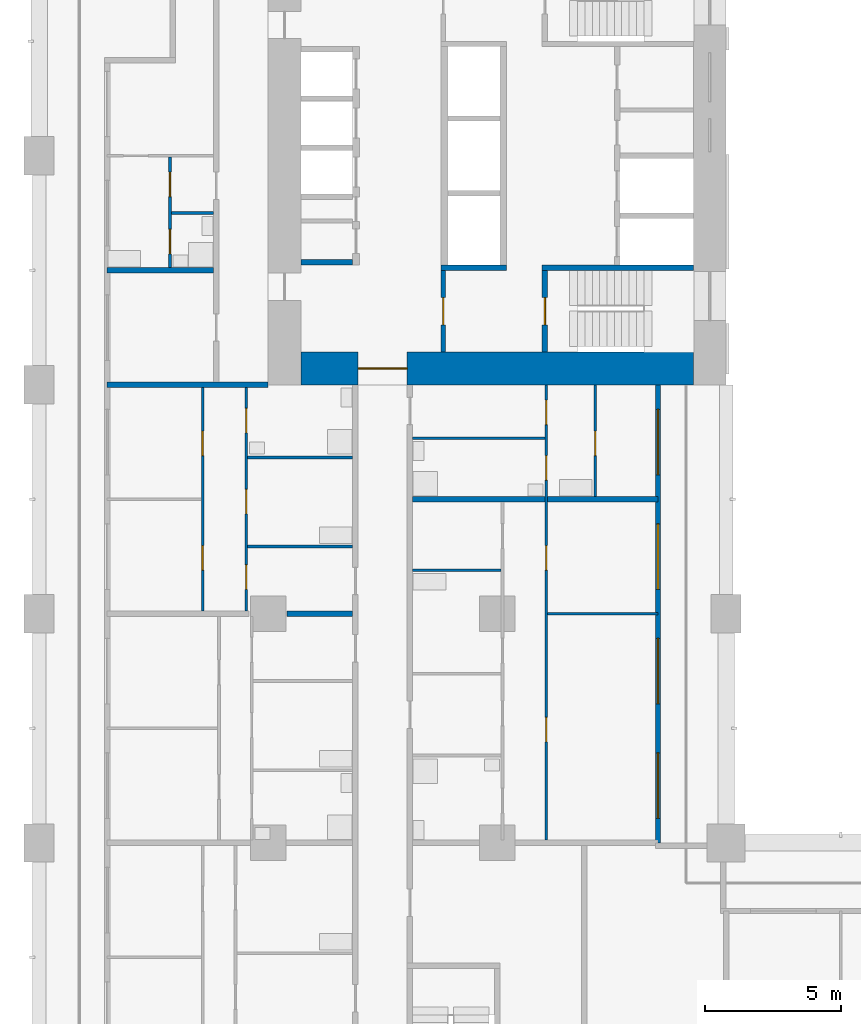
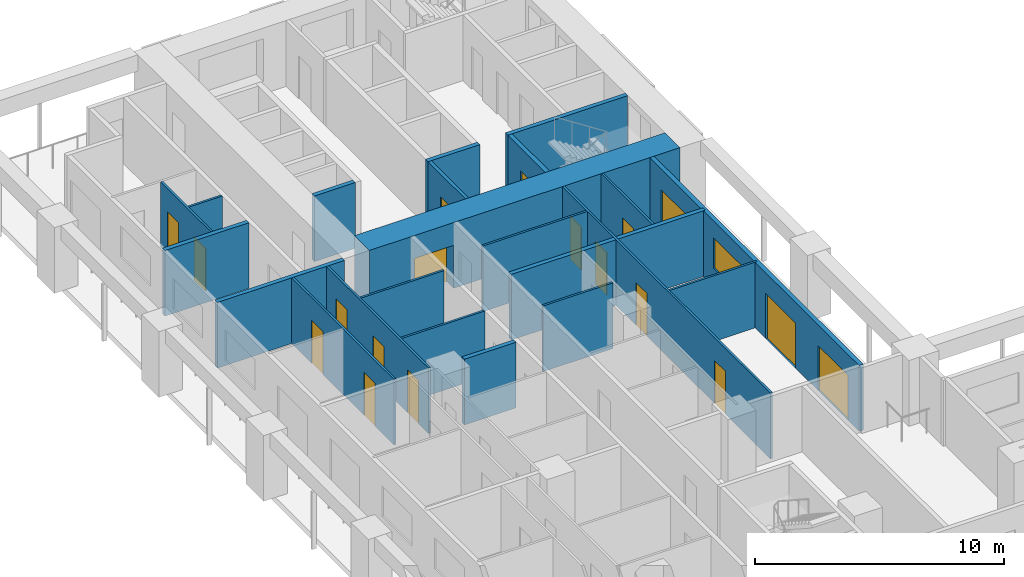
# One storey, part 8 of 19: 22 walls, 18 doors, 1 window, 19 openings.
"""IFC4 building model written with IfcOpenShell, lengths in metres."""

from ifc_helpers import new_model, si_unit, direction, frame, frame_2d, origin, place, context, subcontext, project, spatial, rectangle, extrude, material, layer, layer_set, type_object, element, fill, save


model = new_model("IFC4")

# Units and contexts
model_context = context("Model", 3, precision=1e-05, world=origin(), true_north=direction((0.0, 1.0)))
body_context = subcontext(model_context, "Body", "Model", "MODEL_VIEW")
ifc_project = project(units=[si_unit("LENGTHUNIT", "METRE"), si_unit("AREAUNIT", "SQUARE_METRE"), si_unit("VOLUMEUNIT", "CUBIC_METRE"), si_unit("PLANEANGLEUNIT", "RADIAN"), si_unit("MASSUNIT", "GRAM", prefix="KILO")], contexts=[model_context])

# Site, building, storey
site_placement = place(None, origin())
site = spatial("IfcSite", under=ifc_project, at=site_placement, CompositionType="ELEMENT")
building_placement = place(site_placement, origin())
building = spatial("IfcBuilding", under=site, at=building_placement, Name="Vermilion Gate Residences", CompositionType="ELEMENT")
storey_placement = place(building_placement, frame((0.0, 0.0, 53.199951171875)))
storey = spatial("IfcBuildingStorey", under=building, at=storey_placement, Name="L12", CompositionType="ELEMENT", Elevation=53.199951171875)

# Wall, opening, door
ifc_material_1 = material(Name="Masonry blockwork", Category="masonry")
ifc_layer_1 = layer(ifc_material_1, 0.14990234375)
ifc_layer_set_1 = layer_set([ifc_layer_1], Name="BLOCKWORK PARTITION 150 EI 120")
wall_type_1 = type_object("IfcWallType", Name="BLOCKWORK PARTITION 150 EI 120", PredefinedType="PARTITIONING", material=ifc_layer_set_1)
wall_1_placement = place(storey_placement, frame((14.824951171875, 46.199951171875, 0.0), z_axis=(0.0, 0.0, 1.0), x_axis=(0.0, -1.0, 0.0)))
wall_1 = element("IfcWall", 1, at=wall_1_placement, inside=storey, type_object=wall_type_1, Name="Core room partition B12-VE-S", PredefinedType="PARTITIONING", context=body_context, shape_type="SweptSolid", body=[
    extrude(rectangle(XDim=3.0, YDim=0.14990234375, at=frame_2d((1.5, 0.0))), origin(), (0.0, 0.0, 1.0), 3.219970703125),
])
opening_1_placement = place(wall_1_placement, frame((1.0, 0.0, 0.0)))
opening_1 = element("IfcOpeningElement", 2, at=opening_1_placement, cuts=wall_1, Name="Opening DK12115", PredefinedType="OPENING", context=body_context, shape_type="SweptSolid", body=[
    extrude(rectangle(XDim=1.0, YDim=2.10009765625, at=frame_2d((0.5, 1.050048828125))), frame((0.0, 0.0849609375, 0.0), z_axis=(0.0, -1.0, 0.0), x_axis=(1.0, 0.0, 0.0)), (0.0, 0.0, 1.0), 0.169921875),
])
ifc_material_2 = material(Name="Steel", Category="steel")
door_type_1 = type_object("IfcDoorType", Name="FIRE DOOR FD60 1000 X 2100", OperationType="SINGLE_SWING_LEFT", PredefinedType="DOOR", material=ifc_material_2)
door_1_placement = place(opening_1_placement, frame((1.0, 0.0, 0.0), z_axis=(0.0, 0.0, 1.0), x_axis=(-1.0, 0.0, 0.0)))
door_1 = element("IfcDoor", 3, at=door_1_placement, inside=storey, type_object=door_type_1, Name="Stair vestibule door B12", OperationType="SINGLE_SWING_LEFT", OverallHeight=2.10009765625, OverallWidth=1.0, PredefinedType="DOOR", context=body_context, shape_type="SweptSolid", body=[
    extrude(rectangle(XDim=1.0, YDim=2.10009765625, at=frame_2d((0.5, 1.050048828125))), frame((0.0, 0.02490234375, 0.0), z_axis=(0.0, -1.0, 0.0), x_axis=(1.0, 0.0, 0.0)), (0.0, 0.0, 1.0), 0.050048828125),
])
fill(opening_1, door_1)

# Wall, openings, doors, window
ifc_material_3 = material(Name="Insulated steel stud wall with terracotta rainscreen", Category="masonry")
ifc_layer_2 = layer(ifc_material_3, 0.199951171875)
ifc_layer_set_2 = layer_set([ifc_layer_2], Name="EXTERNAL WALL 200 TERRACOTTA RAINSCREEN")
wall_type_2 = type_object("IfcWallType", Name="EXTERNAL WALL 200 TERRACOTTA RAINSCREEN", PredefinedType="SOLIDWALL", material=ifc_layer_set_2)
wall_2_placement = place(storey_placement, frame((22.699951171875, 25.199951171875, 0.0), z_axis=(0.0, 0.0, 1.0), x_axis=(0.0, 1.0, 0.0)))
wall_2 = element("IfcWall", 4, at=wall_2_placement, inside=storey, type_object=wall_type_2, Name="External wall", PredefinedType="SOLIDWALL", context=body_context, shape_type="SweptSolid", body=[
    extrude(rectangle(XDim=16.800048828125, YDim=0.199951171875, at=frame_2d((8.39990234375, 0.0))), origin(), (0.0, 0.0, 1.0), 3.219970703125),
])
opening_2_placement = place(wall_2_placement, frame((0.89990234375, 0.0, 0.0)))
opening_2 = element("IfcOpeningElement", 5, at=opening_2_placement, cuts=wall_2, Name="Opening DE12037", PredefinedType="OPENING", context=body_context, shape_type="SweptSolid", body=[
    extrude(rectangle(XDim=2.39990234375, YDim=2.199951171875, at=frame_2d((1.199951171875, 1.10009765625))), frame((0.0, 0.10986328125, 0.0), z_axis=(0.0, -1.0, 0.0), x_axis=(1.0, 0.0, 0.0)), (0.0, 0.0, 1.0), 0.219970703125),
])
opening_3_placement = place(wall_2_placement, frame((5.10009765625, 0.0, 0.0)))
opening_3 = element("IfcOpeningElement", 6, at=opening_3_placement, cuts=wall_2, Name="Opening DE12038", PredefinedType="OPENING", context=body_context, shape_type="SweptSolid", body=[
    extrude(rectangle(XDim=2.39990234375, YDim=2.199951171875, at=frame_2d((1.199951171875, 1.10009765625))), frame((0.0, 0.10986328125, 0.0), z_axis=(0.0, -1.0, 0.0), x_axis=(1.0, 0.0, 0.0)), (0.0, 0.0, 1.0), 0.219970703125),
])
opening_4_placement = place(wall_2_placement, frame((9.300048828125, 0.0, 0.89990234375)))
opening_4 = element("IfcOpeningElement", 7, at=opening_4_placement, cuts=wall_2, Name="Opening WE12039", PredefinedType="OPENING", context=body_context, shape_type="SweptSolid", body=[
    extrude(rectangle(XDim=2.39990234375, YDim=1.5, at=frame_2d((1.199951171875, 0.75))), frame((0.0, 0.10986328125, 0.0), z_axis=(0.0, -1.0, 0.0), x_axis=(1.0, 0.0, 0.0)), (0.0, 0.0, 1.0), 0.219970703125),
])
opening_5_placement = place(wall_2_placement, frame((13.5, 0.0, 0.0)))
opening_5 = element("IfcOpeningElement", 8, at=opening_5_placement, cuts=wall_2, Name="Opening DE12040", PredefinedType="OPENING", context=body_context, shape_type="SweptSolid", body=[
    extrude(rectangle(XDim=2.39990234375, YDim=2.199951171875, at=frame_2d((1.199951171875, 1.10009765625))), frame((0.0, 0.10986328125, 0.0), z_axis=(0.0, -1.0, 0.0), x_axis=(1.0, 0.0, 0.0)), (0.0, 0.0, 1.0), 0.219970703125),
])
ifc_material_4 = material(Name="Aluminium and clear glass", Category="aluminium")
door_type_2 = type_object("IfcDoorType", Name="SLIDING GLAZED DOOR 2400 X 2200", OperationType="DOUBLE_DOOR_SLIDING", PredefinedType="DOOR", material=ifc_material_4)
door_2_placement = place(opening_2_placement, origin())
door_2 = element("IfcDoor", 9, at=door_2_placement, inside=storey, type_object=door_type_2, Name="Loggia sliding door", OperationType="DOUBLE_DOOR_SLIDING", OverallHeight=2.199951171875, OverallWidth=2.39990234375, PredefinedType="DOOR", context=body_context, shape_type="SweptSolid", body=[
    extrude(rectangle(XDim=2.39990234375, YDim=2.199951171875, at=frame_2d((1.199951171875, 1.10009765625))), frame((0.0, 0.02490234375, 0.0), z_axis=(0.0, -1.0, 0.0), x_axis=(1.0, 0.0, 0.0)), (0.0, 0.0, 1.0), 0.050048828125),
])
fill(opening_2, door_2)
door_3_placement = place(opening_3_placement, origin())
door_3 = element("IfcDoor", 10, at=door_3_placement, inside=storey, type_object=door_type_2, Name="Loggia sliding door", OperationType="DOUBLE_DOOR_SLIDING", OverallHeight=2.199951171875, OverallWidth=2.39990234375, PredefinedType="DOOR", context=body_context, shape_type="SweptSolid", body=[
    extrude(rectangle(XDim=2.39990234375, YDim=2.199951171875, at=frame_2d((1.199951171875, 1.10009765625))), frame((0.0, 0.02490234375, 0.0), z_axis=(0.0, -1.0, 0.0), x_axis=(1.0, 0.0, 0.0)), (0.0, 0.0, 1.0), 0.050048828125),
])
fill(opening_3, door_3)
door_4_placement = place(opening_5_placement, origin())
door_4 = element("IfcDoor", 11, at=door_4_placement, inside=storey, type_object=door_type_2, Name="Loggia sliding door", OperationType="DOUBLE_DOOR_SLIDING", OverallHeight=2.199951171875, OverallWidth=2.39990234375, PredefinedType="DOOR", context=body_context, shape_type="SweptSolid", body=[
    extrude(rectangle(XDim=2.39990234375, YDim=2.199951171875, at=frame_2d((1.199951171875, 1.10009765625))), frame((0.0, 0.02490234375, 0.0), z_axis=(0.0, -1.0, 0.0), x_axis=(1.0, 0.0, 0.0)), (0.0, 0.0, 1.0), 0.050048828125),
])
fill(opening_5, door_4)
ifc_material_5 = material(Name="Aluminium and clear glass", Category="aluminium")
window_type = type_object("IfcWindowType", Name="WINDOW 2400 X 1500", PartitioningType="SINGLE_PANEL", PredefinedType="WINDOW", material=ifc_material_5)
window_placement = place(opening_4_placement, origin())
window = element("IfcWindow", 12, at=window_placement, inside=storey, type_object=window_type, Name="Window", OverallHeight=1.5, OverallWidth=2.39990234375, PartitioningType="SINGLE_PANEL", PredefinedType="WINDOW", context=body_context, shape_type="SweptSolid", body=[
    extrude(rectangle(XDim=2.39990234375, YDim=1.5, at=frame_2d((1.199951171875, 0.75))), frame((0.0, 0.030029296875, 0.0), z_axis=(0.0, -1.0, 0.0), x_axis=(1.0, 0.0, 0.0)), (0.0, 0.0, 1.0), 0.06005859375),
])
fill(opening_4, window)

# Walls
ifc_material_6 = material(Name="Plasterboard on steel studs", Category="steel")
ifc_layer_3 = layer(ifc_material_6, 0.10009765625)
ifc_layer_set_3 = layer_set([ifc_layer_3], Name="PARTITION 100")
wall_type_3 = type_object("IfcWallType", Name="PARTITION 100", PredefinedType="PARTITIONING", material=ifc_layer_set_3)
wall_3_placement = place(storey_placement, frame((18.64990234375, 33.60009765625, 0.0), z_axis=(0.0, 0.0, 1.0), x_axis=(1.0, 0.0, 0.0)))
element("IfcWall", 13, at=wall_3_placement, inside=storey, type_object=wall_type_3, Name="Partition", PredefinedType="PARTITIONING", context=body_context, shape_type="SweptSolid", body=[
    extrude(rectangle(XDim=4.050048828125, YDim=0.10009765625, at=frame_2d((2.02490234375, 0.0))), origin(), (0.0, 0.0, 1.0), 3.219970703125),
])
wall_4_placement = place(storey_placement, frame((13.699951171875, 35.199951171875, 0.0), z_axis=(0.0, 0.0, 1.0), x_axis=(1.0, 0.0, 0.0)))
element("IfcWall", 14, at=wall_4_placement, inside=storey, type_object=wall_type_3, Name="Partition", PredefinedType="PARTITIONING", context=body_context, shape_type="SweptSolid", body=[
    extrude(rectangle(XDim=3.25, YDim=0.10009765625, at=frame_2d((1.625, 0.0))), origin(), (0.0, 0.0, 1.0), 3.219970703125),
])
for number, where, z_axis, x_axis, name in (
    (15, (7.64990234375, 36.06689453125, 0.0), (0.0, 0.0, 1.0), (1.0, 0.0, 0.0), "Partition"),
    (16, (7.64990234375, 39.3330078125, 0.0), (0.0, 0.0, 1.0), (1.0, 0.0, 0.0), "Partition"),
):
    element("IfcWall", number, at=place(storey_placement, frame(where, z_axis=z_axis, x_axis=x_axis)), inside=storey, type_object=wall_type_3, Name=name, PredefinedType="PARTITIONING", context=body_context, shape_type="SweptSolid", body=[
        extrude(rectangle(XDim=3.85009765625, YDim=0.10009765625, at=frame_2d((1.925048828125, 0.0))), origin(), (0.0, 0.0, 1.0), 3.219970703125),
    ])
wall_5_placement = place(storey_placement, frame((13.699951171875, 40.0400390625, 0.0), z_axis=(0.0, 0.0, 1.0), x_axis=(1.0, 0.0, 0.0)))
element("IfcWall", 17, at=wall_5_placement, inside=storey, type_object=wall_type_3, Name="Partition", PredefinedType="PARTITIONING", context=body_context, shape_type="SweptSolid", body=[
    extrude(rectangle(XDim=4.85009765625, YDim=0.10009765625, at=frame_2d((2.425048828125, 0.0))), origin(), (0.0, 0.0, 1.0), 3.219970703125),
])
wall_6_placement = place(storey_placement, frame((4.85009765625, 48.300048828125, 0.0), z_axis=(0.0, 0.0, 1.0), x_axis=(1.0, 0.0, 0.0)))
element("IfcWall", 18, at=wall_6_placement, inside=storey, type_object=wall_type_3, Name="Partition", PredefinedType="PARTITIONING", context=body_context, shape_type="SweptSolid", body=[
    extrude(rectangle(XDim=1.5498046875, YDim=0.10009765625, at=frame_2d((0.77490234375, 0.0))), origin(), (0.0, 0.0, 1.0), 3.219970703125),
])

# Wall, openings, doors
wall_7_placement = place(storey_placement, frame((4.800048828125, 46.300048828125, 0.0), z_axis=(0.0, 0.0, 1.0), x_axis=(0.0, 1.0, 0.0)))
wall_7 = element("IfcWall", 19, at=wall_7_placement, inside=storey, type_object=wall_type_3, Name="Partition", PredefinedType="PARTITIONING", context=body_context, shape_type="SweptSolid", body=[
    extrude(rectangle(XDim=4.050048828125, YDim=0.10009765625, at=frame_2d((2.02490234375, 0.0))), origin(), (0.0, 0.0, 1.0), 3.219970703125),
])
opening_6_placement = place(wall_7_placement, frame((2.60009765625, 0.0, 0.0)))
opening_6 = element("IfcOpeningElement", 20, at=opening_6_placement, cuts=wall_7, Name="Opening DA10043", PredefinedType="OPENING", context=body_context, shape_type="SweptSolid", body=[
    extrude(rectangle(XDim=0.89990234375, YDim=2.10009765625, at=frame_2d((0.449951171875, 1.050048828125))), frame((0.0, 0.06005859375, 0.0), z_axis=(0.0, -1.0, 0.0), x_axis=(1.0, 0.0, 0.0)), (0.0, 0.0, 1.0), 0.1201171875),
])
opening_7_placement = place(wall_7_placement, frame((0.5, 0.0, 0.0)))
opening_7 = element("IfcOpeningElement", 21, at=opening_7_placement, cuts=wall_7, Name="Opening DA10044", PredefinedType="OPENING", context=body_context, shape_type="SweptSolid", body=[
    extrude(rectangle(XDim=0.89990234375, YDim=2.10009765625, at=frame_2d((0.449951171875, 1.050048828125))), frame((0.0, 0.06005859375, 0.0), z_axis=(0.0, -1.0, 0.0), x_axis=(1.0, 0.0, 0.0)), (0.0, 0.0, 1.0), 0.1201171875),
])
ifc_material_7 = material(Name="Timber", Category="wood")
door_type_3 = type_object("IfcDoorType", Name="INTERIOR DOOR 900 X 2100", OperationType="SINGLE_SWING_LEFT", PredefinedType="DOOR", material=ifc_material_7)
door_5_placement = place(opening_6_placement, origin())
door_5 = element("IfcDoor", 22, at=door_5_placement, inside=storey, type_object=door_type_3, Name="Interior door", OperationType="SINGLE_SWING_RIGHT", OverallHeight=2.10009765625, OverallWidth=0.89990234375, PredefinedType="DOOR", context=body_context, shape_type="SweptSolid", body=[
    extrude(rectangle(XDim=0.89990234375, YDim=2.10009765625, at=frame_2d((0.449951171875, 1.050048828125))), frame((0.0, 0.02490234375, 0.0), z_axis=(0.0, -1.0, 0.0), x_axis=(1.0, 0.0, 0.0)), (0.0, 0.0, 1.0), 0.050048828125),
])
fill(opening_6, door_5)
door_6_placement = place(opening_7_placement, frame((0.89990234375, 0.0, 0.0), z_axis=(0.0, 0.0, 1.0), x_axis=(-1.0, 0.0, 0.0)))
door_6 = element("IfcDoor", 23, at=door_6_placement, inside=storey, type_object=door_type_3, Name="Interior door", OperationType="SINGLE_SWING_RIGHT", OverallHeight=2.10009765625, OverallWidth=0.89990234375, PredefinedType="DOOR", context=body_context, shape_type="SweptSolid", body=[
    extrude(rectangle(XDim=0.89990234375, YDim=2.10009765625, at=frame_2d((0.449951171875, 1.050048828125))), frame((0.0, 0.02490234375, 0.0), z_axis=(0.0, -1.0, 0.0), x_axis=(1.0, 0.0, 0.0)), (0.0, 0.0, 1.0), 0.050048828125),
])
fill(opening_7, door_6)

wall_8_placement = place(storey_placement, frame((6.0, 33.699951171875, 0.0), z_axis=(0.0, 0.0, 1.0), x_axis=(0.0, 1.0, 0.0)))
wall_8 = element("IfcWall", 24, at=wall_8_placement, inside=storey, type_object=wall_type_3, Name="Partition", PredefinedType="PARTITIONING", context=body_context, shape_type="SweptSolid", body=[
    extrude(rectangle(XDim=8.199951171875, YDim=0.10009765625, at=frame_2d((4.10009765625, 0.0))), origin(), (0.0, 0.0, 1.0), 3.219970703125),
])
opening_8_placement = place(wall_8_placement, frame((1.5, 0.0, 0.0)))
opening_8 = element("IfcOpeningElement", 25, at=opening_8_placement, cuts=wall_8, Name="Opening DA10047", PredefinedType="OPENING", context=body_context, shape_type="SweptSolid", body=[
    extrude(rectangle(XDim=0.89990234375, YDim=2.10009765625, at=frame_2d((0.449951171875, 1.050048828125))), frame((0.0, 0.06005859375, 0.0), z_axis=(0.0, -1.0, 0.0), x_axis=(1.0, 0.0, 0.0)), (0.0, 0.0, 1.0), 0.1201171875),
])
opening_9_placement = place(wall_8_placement, frame((5.699951171875, 0.0, 0.0)))
opening_9 = element("IfcOpeningElement", 26, at=opening_9_placement, cuts=wall_8, Name="Opening DA10048", PredefinedType="OPENING", context=body_context, shape_type="SweptSolid", body=[
    extrude(rectangle(XDim=0.89990234375, YDim=2.10009765625, at=frame_2d((0.449951171875, 1.050048828125))), frame((0.0, 0.06005859375, 0.0), z_axis=(0.0, -1.0, 0.0), x_axis=(1.0, 0.0, 0.0)), (0.0, 0.0, 1.0), 0.1201171875),
])
door_7_placement = place(opening_8_placement, origin())
door_7 = element("IfcDoor", 27, at=door_7_placement, inside=storey, type_object=door_type_3, Name="Interior door", OperationType="SINGLE_SWING_LEFT", OverallHeight=2.10009765625, OverallWidth=0.89990234375, PredefinedType="DOOR", context=body_context, shape_type="SweptSolid", body=[
    extrude(rectangle(XDim=0.89990234375, YDim=2.10009765625, at=frame_2d((0.449951171875, 1.050048828125))), frame((0.0, 0.02490234375, 0.0), z_axis=(0.0, -1.0, 0.0), x_axis=(1.0, 0.0, 0.0)), (0.0, 0.0, 1.0), 0.050048828125),
])
fill(opening_8, door_7)
door_8_placement = place(opening_9_placement, origin())
door_8 = element("IfcDoor", 28, at=door_8_placement, inside=storey, type_object=door_type_3, Name="Interior door", OperationType="SINGLE_SWING_LEFT", OverallHeight=2.10009765625, OverallWidth=0.89990234375, PredefinedType="DOOR", context=body_context, shape_type="SweptSolid", body=[
    extrude(rectangle(XDim=0.89990234375, YDim=2.10009765625, at=frame_2d((0.449951171875, 1.050048828125))), frame((0.0, 0.02490234375, 0.0), z_axis=(0.0, -1.0, 0.0), x_axis=(1.0, 0.0, 0.0)), (0.0, 0.0, 1.0), 0.050048828125),
])
fill(opening_9, door_8)

wall_9_placement = place(storey_placement, frame((7.60009765625, 33.699951171875, 0.0), z_axis=(0.0, 0.0, 1.0), x_axis=(0.0, 1.0, 0.0)))
wall_9 = element("IfcWall", 29, at=wall_9_placement, inside=storey, type_object=wall_type_3, Name="Partition", PredefinedType="PARTITIONING", context=body_context, shape_type="SweptSolid", body=[
    extrude(rectangle(XDim=8.199951171875, YDim=0.10009765625, at=frame_2d((4.10009765625, 0.0))), origin(), (0.0, 0.0, 1.0), 3.219970703125),
])
opening_10_placement = place(wall_9_placement, frame((0.800048828125, 0.0, 0.0)))
opening_10 = element("IfcOpeningElement", 30, at=opening_10_placement, cuts=wall_9, Name="Opening DA10057", PredefinedType="OPENING", context=body_context, shape_type="SweptSolid", body=[
    extrude(rectangle(XDim=0.89990234375, YDim=2.10009765625, at=frame_2d((0.449951171875, 1.050048828125))), frame((0.0, 0.06005859375, 0.0), z_axis=(0.0, -1.0, 0.0), x_axis=(1.0, 0.0, 0.0)), (0.0, 0.0, 1.0), 0.1201171875),
])
opening_11_placement = place(wall_9_placement, frame((3.56689453125, 0.0, 0.0)))
opening_11 = element("IfcOpeningElement", 31, at=opening_11_placement, cuts=wall_9, Name="Opening DA10058", PredefinedType="OPENING", context=body_context, shape_type="SweptSolid", body=[
    extrude(rectangle(XDim=0.89990234375, YDim=2.10009765625, at=frame_2d((0.449951171875, 1.050048828125))), frame((0.0, 0.06005859375, 0.0), z_axis=(0.0, -1.0, 0.0), x_axis=(1.0, 0.0, 0.0)), (0.0, 0.0, 1.0), 0.1201171875),
])
opening_12_placement = place(wall_9_placement, frame((6.532958984375, 0.0, 0.0)))
opening_12 = element("IfcOpeningElement", 32, at=opening_12_placement, cuts=wall_9, Name="Opening DA10059", PredefinedType="OPENING", context=body_context, shape_type="SweptSolid", body=[
    extrude(rectangle(XDim=0.89990234375, YDim=2.10009765625, at=frame_2d((0.449951171875, 1.050048828125))), frame((0.0, 0.06005859375, 0.0), z_axis=(0.0, -1.0, 0.0), x_axis=(1.0, 0.0, 0.0)), (0.0, 0.0, 1.0), 0.1201171875),
])
door_9_placement = place(opening_10_placement, frame((0.89990234375, 0.0, 0.0), z_axis=(0.0, 0.0, 1.0), x_axis=(-1.0, 0.0, 0.0)))
door_9 = element("IfcDoor", 33, at=door_9_placement, inside=storey, type_object=door_type_3, Name="Interior door", OperationType="SINGLE_SWING_RIGHT", OverallHeight=2.10009765625, OverallWidth=0.89990234375, PredefinedType="DOOR", context=body_context, shape_type="SweptSolid", body=[
    extrude(rectangle(XDim=0.89990234375, YDim=2.10009765625, at=frame_2d((0.449951171875, 1.050048828125))), frame((0.0, 0.02490234375, 0.0), z_axis=(0.0, -1.0, 0.0), x_axis=(1.0, 0.0, 0.0)), (0.0, 0.0, 1.0), 0.050048828125),
])
fill(opening_10, door_9)
door_10_placement = place(opening_11_placement, frame((0.89990234375, 0.0, 0.0), z_axis=(0.0, 0.0, 1.0), x_axis=(-1.0, 0.0, 0.0)))
door_10 = element("IfcDoor", 34, at=door_10_placement, inside=storey, type_object=door_type_3, Name="Interior door", OperationType="SINGLE_SWING_LEFT", OverallHeight=2.10009765625, OverallWidth=0.89990234375, PredefinedType="DOOR", context=body_context, shape_type="SweptSolid", body=[
    extrude(rectangle(XDim=0.89990234375, YDim=2.10009765625, at=frame_2d((0.449951171875, 1.050048828125))), frame((0.0, 0.02490234375, 0.0), z_axis=(0.0, -1.0, 0.0), x_axis=(1.0, 0.0, 0.0)), (0.0, 0.0, 1.0), 0.050048828125),
])
fill(opening_11, door_10)
door_11_placement = place(opening_12_placement, frame((0.89990234375, 0.0, 0.0), z_axis=(0.0, 0.0, 1.0), x_axis=(-1.0, 0.0, 0.0)))
door_11 = element("IfcDoor", 35, at=door_11_placement, inside=storey, type_object=door_type_3, Name="Interior door", OperationType="SINGLE_SWING_RIGHT", OverallHeight=2.10009765625, OverallWidth=0.89990234375, PredefinedType="DOOR", context=body_context, shape_type="SweptSolid", body=[
    extrude(rectangle(XDim=0.89990234375, YDim=2.10009765625, at=frame_2d((0.449951171875, 1.050048828125))), frame((0.0, 0.02490234375, 0.0), z_axis=(0.0, -1.0, 0.0), x_axis=(1.0, 0.0, 0.0)), (0.0, 0.0, 1.0), 0.050048828125),
])
fill(opening_12, door_11)

wall_10_placement = place(storey_placement, frame((18.60009765625, 25.300048828125, 0.0), z_axis=(0.0, 0.0, 1.0), x_axis=(0.0, 1.0, 0.0)))
wall_10 = element("IfcWall", 36, at=wall_10_placement, inside=storey, type_object=wall_type_3, Name="Partition", PredefinedType="PARTITIONING", context=body_context, shape_type="SweptSolid", body=[
    extrude(rectangle(XDim=16.699951171875, YDim=0.10009765625, at=frame_2d((8.35009765625, 0.0))), origin(), (0.0, 0.0, 1.0), 3.219970703125),
])
opening_13_placement = place(wall_10_placement, frame((3.60009765625, 0.0, 0.0)))
opening_13 = element("IfcOpeningElement", 37, at=opening_13_placement, cuts=wall_10, Name="Opening DA10075", PredefinedType="OPENING", context=body_context, shape_type="SweptSolid", body=[
    extrude(rectangle(XDim=0.89990234375, YDim=2.10009765625, at=frame_2d((0.449951171875, 1.050048828125))), frame((0.0, 0.06005859375, 0.0), z_axis=(0.0, -1.0, 0.0), x_axis=(1.0, 0.0, 0.0)), (0.0, 0.0, 1.0), 0.1201171875),
])
opening_14_placement = place(wall_10_placement, frame((9.89990234375, 0.0, 0.0)))
opening_14 = element("IfcOpeningElement", 38, at=opening_14_placement, cuts=wall_10, Name="Opening DA10076", PredefinedType="OPENING", context=body_context, shape_type="SweptSolid", body=[
    extrude(rectangle(XDim=0.89990234375, YDim=2.10009765625, at=frame_2d((0.449951171875, 1.050048828125))), frame((0.0, 0.06005859375, 0.0), z_axis=(0.0, -1.0, 0.0), x_axis=(1.0, 0.0, 0.0)), (0.0, 0.0, 1.0), 0.1201171875),
])
opening_15_placement = place(wall_10_placement, frame((15.239990234375, 0.0, 0.0)))
opening_15 = element("IfcOpeningElement", 39, at=opening_15_placement, cuts=wall_10, Name="Opening DA10077", PredefinedType="OPENING", context=body_context, shape_type="SweptSolid", body=[
    extrude(rectangle(XDim=0.89990234375, YDim=2.10009765625, at=frame_2d((0.449951171875, 1.050048828125))), frame((0.0, 0.06005859375, 0.0), z_axis=(0.0, -1.0, 0.0), x_axis=(1.0, 0.0, 0.0)), (0.0, 0.0, 1.0), 0.1201171875),
])
opening_16_placement = place(wall_10_placement, frame((13.199951171875, 0.0, 0.0)))
opening_16 = element("IfcOpeningElement", 40, at=opening_16_placement, cuts=wall_10, Name="Opening DA10078", PredefinedType="OPENING", context=body_context, shape_type="SweptSolid", body=[
    extrude(rectangle(XDim=0.89990234375, YDim=2.10009765625, at=frame_2d((0.449951171875, 1.050048828125))), frame((0.0, 0.06005859375, 0.0), z_axis=(0.0, -1.0, 0.0), x_axis=(1.0, 0.0, 0.0)), (0.0, 0.0, 1.0), 0.1201171875),
])
door_12_placement = place(opening_13_placement, frame((0.89990234375, 0.0, 0.0), z_axis=(0.0, 0.0, 1.0), x_axis=(-1.0, 0.0, 0.0)))
door_12 = element("IfcDoor", 41, at=door_12_placement, inside=storey, type_object=door_type_3, Name="Interior door", OperationType="SINGLE_SWING_RIGHT", OverallHeight=2.10009765625, OverallWidth=0.89990234375, PredefinedType="DOOR", context=body_context, shape_type="SweptSolid", body=[
    extrude(rectangle(XDim=0.89990234375, YDim=2.10009765625, at=frame_2d((0.449951171875, 1.050048828125))), frame((0.0, 0.02490234375, 0.0), z_axis=(0.0, -1.0, 0.0), x_axis=(1.0, 0.0, 0.0)), (0.0, 0.0, 1.0), 0.050048828125),
])
fill(opening_13, door_12)
door_13_placement = place(opening_14_placement, frame((0.89990234375, 0.0, 0.0), z_axis=(0.0, 0.0, 1.0), x_axis=(-1.0, 0.0, 0.0)))
door_13 = element("IfcDoor", 42, at=door_13_placement, inside=storey, type_object=door_type_3, Name="Interior door", OperationType="SINGLE_SWING_RIGHT", OverallHeight=2.10009765625, OverallWidth=0.89990234375, PredefinedType="DOOR", context=body_context, shape_type="SweptSolid", body=[
    extrude(rectangle(XDim=0.89990234375, YDim=2.10009765625, at=frame_2d((0.449951171875, 1.050048828125))), frame((0.0, 0.02490234375, 0.0), z_axis=(0.0, -1.0, 0.0), x_axis=(1.0, 0.0, 0.0)), (0.0, 0.0, 1.0), 0.050048828125),
])
fill(opening_14, door_13)
door_14_placement = place(opening_15_placement, frame((0.89990234375, 0.0, 0.0), z_axis=(0.0, 0.0, 1.0), x_axis=(-1.0, 0.0, 0.0)))
door_14 = element("IfcDoor", 43, at=door_14_placement, inside=storey, type_object=door_type_3, Name="Interior door", OperationType="SINGLE_SWING_LEFT", OverallHeight=2.10009765625, OverallWidth=0.89990234375, PredefinedType="DOOR", context=body_context, shape_type="SweptSolid", body=[
    extrude(rectangle(XDim=0.89990234375, YDim=2.10009765625, at=frame_2d((0.449951171875, 1.050048828125))), frame((0.0, 0.02490234375, 0.0), z_axis=(0.0, -1.0, 0.0), x_axis=(1.0, 0.0, 0.0)), (0.0, 0.0, 1.0), 0.050048828125),
])
fill(opening_15, door_14)
door_15_placement = place(opening_16_placement, frame((0.89990234375, 0.0, 0.0), z_axis=(0.0, 0.0, 1.0), x_axis=(-1.0, 0.0, 0.0)))
door_15 = element("IfcDoor", 44, at=door_15_placement, inside=storey, type_object=door_type_3, Name="Interior door", OperationType="SINGLE_SWING_RIGHT", OverallHeight=2.10009765625, OverallWidth=0.89990234375, PredefinedType="DOOR", context=body_context, shape_type="SweptSolid", body=[
    extrude(rectangle(XDim=0.89990234375, YDim=2.10009765625, at=frame_2d((0.449951171875, 1.050048828125))), frame((0.0, 0.02490234375, 0.0), z_axis=(0.0, -1.0, 0.0), x_axis=(1.0, 0.0, 0.0)), (0.0, 0.0, 1.0), 0.050048828125),
])
fill(opening_16, door_15)

# Wall, opening, door
wall_11_placement = place(storey_placement, frame((20.39990234375, 37.89990234375, 0.0), z_axis=(0.0, 0.0, 1.0), x_axis=(0.0, 1.0, 0.0)))
wall_11 = element("IfcWall", 45, at=wall_11_placement, inside=storey, type_object=wall_type_3, Name="Partition", PredefinedType="PARTITIONING", context=body_context, shape_type="SweptSolid", body=[
    extrude(rectangle(XDim=4.10009765625, YDim=0.10009765625, at=frame_2d((2.050048828125, 0.0))), origin(), (0.0, 0.0, 1.0), 3.219970703125),
])
opening_17_placement = place(wall_11_placement, frame((1.5, 0.0, 0.0)))
opening_17 = element("IfcOpeningElement", 46, at=opening_17_placement, cuts=wall_11, Name="Opening DA10079", PredefinedType="OPENING", context=body_context, shape_type="SweptSolid", body=[
    extrude(rectangle(XDim=0.89990234375, YDim=2.10009765625, at=frame_2d((0.449951171875, 1.050048828125))), frame((0.0, 0.06005859375, 0.0), z_axis=(0.0, -1.0, 0.0), x_axis=(1.0, 0.0, 0.0)), (0.0, 0.0, 1.0), 0.1201171875),
])
door_16_placement = place(opening_17_placement, origin())
door_16 = element("IfcDoor", 47, at=door_16_placement, inside=storey, type_object=door_type_3, Name="Interior door", OperationType="SINGLE_SWING_LEFT", OverallHeight=2.10009765625, OverallWidth=0.89990234375, PredefinedType="DOOR", context=body_context, shape_type="SweptSolid", body=[
    extrude(rectangle(XDim=0.89990234375, YDim=2.10009765625, at=frame_2d((0.449951171875, 1.050048828125))), frame((0.0, 0.02490234375, 0.0), z_axis=(0.0, -1.0, 0.0), x_axis=(1.0, 0.0, 0.0)), (0.0, 0.0, 1.0), 0.050048828125),
])
fill(opening_17, door_16)

# Walls
ifc_material_8 = material(Name="Fire-rated plasterboard on steel studs", Category="steel")
ifc_layer_4 = layer(ifc_material_8, 0.199951171875)
ifc_layer_set_4 = layer_set([ifc_layer_4], Name="PARTY WALL 200 EI 120")
wall_type_4 = type_object("IfcWallType", Name="PARTY WALL 200 EI 120", PredefinedType="PARTITIONING", material=ifc_layer_set_4)
wall_12_placement = place(storey_placement, frame((9.10009765625, 33.60009765625, 0.0), z_axis=(0.0, 0.0, 1.0), x_axis=(1.0, 0.0, 0.0)))
element("IfcWall", 48, at=wall_12_placement, inside=storey, type_object=wall_type_4, Name="Party and corridor wall", PredefinedType="PARTITIONING", context=body_context, shape_type="SweptSolid", body=[
    extrude(rectangle(XDim=2.39990234375, YDim=0.199951171875, at=frame_2d((1.199951171875, 0.0))), origin(), (0.0, 0.0, 1.0), 3.219970703125),
])
wall_13_placement = place(storey_placement, frame((13.699951171875, 37.800048828125, 0.0), z_axis=(0.0, 0.0, 1.0), x_axis=(1.0, 0.0, 0.0)))
element("IfcWall", 49, at=wall_13_placement, inside=storey, type_object=wall_type_4, Name="Party and corridor wall", PredefinedType="PARTITIONING", context=body_context, shape_type="SweptSolid", body=[
    extrude(rectangle(XDim=9.0, YDim=0.199951171875, at=frame_2d((4.5, 0.0))), origin(), (0.0, 0.0, 1.0), 3.219970703125),
])
wall_14_placement = place(storey_placement, frame((2.5, 42.0, 0.0), z_axis=(0.0, 0.0, 1.0), x_axis=(1.0, 0.0, 0.0)))
element("IfcWall", 50, at=wall_14_placement, inside=storey, type_object=wall_type_4, Name="Party and corridor wall", PredefinedType="PARTITIONING", context=body_context, shape_type="SweptSolid", body=[
    extrude(rectangle(XDim=5.89990234375, YDim=0.199951171875, at=frame_2d((2.949951171875, 0.0))), origin(), (0.0, 0.0, 1.0), 3.219970703125),
])
wall_15_placement = place(storey_placement, frame((2.5, 46.199951171875, 0.0), z_axis=(0.0, 0.0, 1.0), x_axis=(1.0, 0.0, 0.0)))
element("IfcWall", 51, at=wall_15_placement, inside=storey, type_object=wall_type_4, Name="Party and corridor wall", PredefinedType="PARTITIONING", context=body_context, shape_type="SweptSolid", body=[
    extrude(rectangle(XDim=3.89990234375, YDim=0.199951171875, at=frame_2d((1.949951171875, 0.0))), origin(), (0.0, 0.0, 1.0), 3.219970703125),
])
ifc_material_9 = material(Name="Concrete C60", Category="concrete")
ifc_layer_5 = layer(ifc_material_9, 0.199951171875)
ifc_layer_set_5 = layer_set([ifc_layer_5], Name="RC CORE INTERNAL WALL 200 C60")
wall_type_5 = type_object("IfcWallType", Name="RC CORE INTERNAL WALL 200 C60", PredefinedType="SHEAR", material=ifc_layer_set_5)
wall_16_placement = place(storey_placement, frame((9.60009765625, 46.5, 0.0), z_axis=(0.0, 0.0, 1.0), x_axis=(1.0, 0.0, 0.0)))
element("IfcWall", 52, at=wall_16_placement, inside=storey, type_object=wall_type_5, Name="Core internal wall B12-LR-DE", PredefinedType="SHEAR", context=body_context, shape_type="SweptSolid", body=[
    extrude(rectangle(XDim=1.89990234375, YDim=0.199951171875, at=frame_2d((0.949951171875, 0.0))), origin(), (0.0, 0.0, 1.0), 3.219970703125),
])
wall_17_placement = place(storey_placement, frame((14.75, 46.300048828125, 0.0), z_axis=(0.0, 0.0, 1.0), x_axis=(1.0, 0.0, 0.0)))
element("IfcWall", 53, at=wall_17_placement, inside=storey, type_object=wall_type_5, Name="Core internal wall B12-EDIV1", PredefinedType="SHEAR", context=body_context, shape_type="SweptSolid", body=[
    extrude(rectangle(XDim=2.39990234375, YDim=0.199951171875, at=frame_2d((1.199951171875, 0.0))), origin(), (0.0, 0.0, 1.0), 3.219970703125),
])
wall_18_placement = place(storey_placement, frame((18.449951171875, 46.300048828125, 0.0), z_axis=(0.0, 0.0, 1.0), x_axis=(1.0, 0.0, 0.0)))
element("IfcWall", 54, at=wall_18_placement, inside=storey, type_object=wall_type_5, Name="Core internal wall B12-EDIV2", PredefinedType="SHEAR", context=body_context, shape_type="SweptSolid", body=[
    extrude(rectangle(XDim=5.550048828125, YDim=0.199951171875, at=frame_2d((2.77490234375, 0.0))), origin(), (0.0, 0.0, 1.0), 3.219970703125),
])

# Wall, opening, door
wall_19_placement = place(storey_placement, frame((18.550048828125, 46.199951171875, 0.0), z_axis=(0.0, 0.0, 1.0), x_axis=(0.0, -1.0, 0.0)))
wall_19 = element("IfcWall", 55, at=wall_19_placement, inside=storey, type_object=wall_type_5, Name="Core internal wall B12-STE-S", PredefinedType="SHEAR", context=body_context, shape_type="SweptSolid", body=[
    extrude(rectangle(XDim=3.0, YDim=0.199951171875, at=frame_2d((1.5, 0.0))), origin(), (0.0, 0.0, 1.0), 3.219970703125),
])
opening_18_placement = place(wall_19_placement, frame((1.0, 0.0, 0.0)))
opening_18 = element("IfcOpeningElement", 56, at=opening_18_placement, cuts=wall_19, Name="Opening DK12116", PredefinedType="OPENING", context=body_context, shape_type="SweptSolid", body=[
    extrude(rectangle(XDim=1.0, YDim=2.10009765625, at=frame_2d((0.5, 1.050048828125))), frame((0.0, 0.10986328125, 0.0), z_axis=(0.0, -1.0, 0.0), x_axis=(1.0, 0.0, 0.0)), (0.0, 0.0, 1.0), 0.219970703125),
])
door_17_placement = place(opening_18_placement, origin())
door_17 = element("IfcDoor", 57, at=door_17_placement, inside=storey, type_object=door_type_1, Name="Stair door B12", OperationType="SINGLE_SWING_LEFT", OverallHeight=2.10009765625, OverallWidth=1.0, PredefinedType="DOOR", context=body_context, shape_type="SweptSolid", body=[
    extrude(rectangle(XDim=1.0, YDim=2.10009765625, at=frame_2d((0.5, 1.050048828125))), frame((0.0, 0.02490234375, 0.0), z_axis=(0.0, -1.0, 0.0), x_axis=(1.0, 0.0, 0.0)), (0.0, 0.0, 1.0), 0.050048828125),
])
fill(opening_18, door_17)

ifc_material_10 = material(Name="Concrete C80", Category="concrete")
ifc_layer_6 = layer(ifc_material_10, 1.199951171875)
ifc_layer_set_6 = layer_set([ifc_layer_6], Name="RC CORE WALL 1200 C80")
wall_type_6 = type_object("IfcWallType", Name="RC CORE WALL 1200 C80", PredefinedType="SHEAR", material=ifc_layer_set_6)
wall_20_placement = place(storey_placement, frame((9.60009765625, 42.60009765625, 0.0), z_axis=(0.0, 0.0, 1.0), x_axis=(1.0, 0.0, 0.0)))
wall_20 = element("IfcWall", 58, at=wall_20_placement, inside=storey, type_object=wall_type_6, Name="Core wall B12-OUT-BK", PredefinedType="SHEAR", context=body_context, shape_type="SweptSolid", body=[
    extrude(rectangle(XDim=14.39990234375, YDim=1.199951171875, at=frame_2d((7.199951171875, 0.0))), origin(), (0.0, 0.0, 1.0), 3.219970703125),
])
opening_19_placement = place(wall_20_placement, frame((2.10009765625, 0.0, 0.0)))
opening_19 = element("IfcOpeningElement", 59, at=opening_19_placement, cuts=wall_20, Name="Opening DK12103", PredefinedType="OPENING", context=body_context, shape_type="SweptSolid", body=[
    extrude(rectangle(XDim=1.800048828125, YDim=2.10009765625, at=frame_2d((0.89990234375, 1.050048828125))), frame((0.0, 0.60986328125, 0.0), z_axis=(0.0, -1.0, 0.0), x_axis=(1.0, 0.0, 0.0)), (0.0, 0.0, 1.0), 1.219970703125),
])
ifc_material_11 = material(Name="Steel", Category="steel")
door_type_4 = type_object("IfcDoorType", Name="CORE LOBBY DOOR FD60 1800 X 2100", OperationType="DOUBLE_DOOR_SINGLE_SWING", PredefinedType="DOOR", material=ifc_material_11)
door_18_placement = place(opening_19_placement, origin())
door_18 = element("IfcDoor", 60, at=door_18_placement, inside=storey, type_object=door_type_4, Name="Core lobby door B12", OperationType="DOUBLE_DOOR_SINGLE_SWING", OverallHeight=2.10009765625, OverallWidth=1.800048828125, PredefinedType="DOOR", context=body_context, shape_type="SweptSolid", body=[
    extrude(rectangle(XDim=1.800048828125, YDim=2.10009765625, at=frame_2d((0.89990234375, 1.050048828125))), frame((0.0, 0.02490234375, 0.0), z_axis=(0.0, -1.0, 0.0), x_axis=(1.0, 0.0, 0.0)), (0.0, 0.0, 1.0), 0.050048828125),
])
fill(opening_19, door_18)

save(model, "model.ifc")
